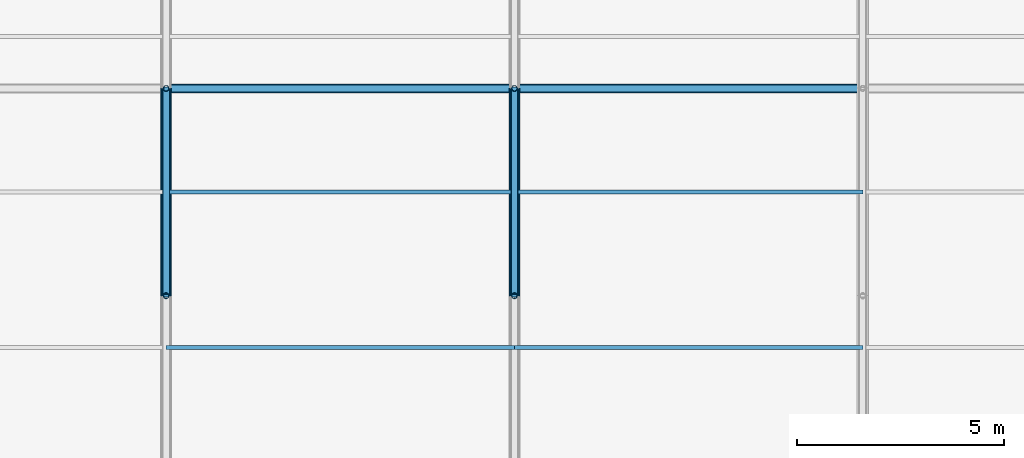
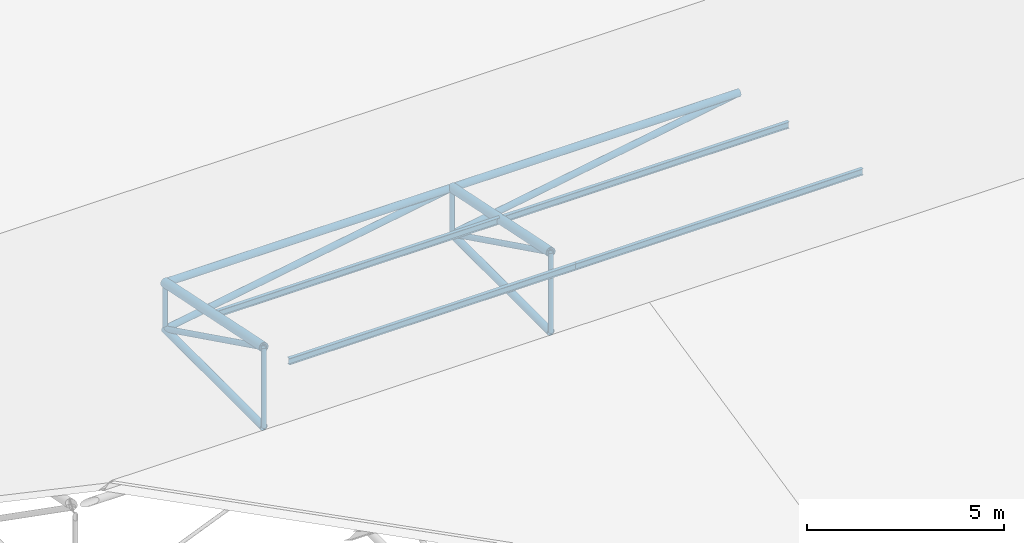
# One storey, part 85 of 194: 14 members, 4 beams.
"""IFC4 building model written with IfcOpenShell, lengths in metres."""

from ifc_helpers import new_model, si_unit, direction, frame, origin, origin_2d, place, context, subcontext, project, spatial, hollow_circle, i_section, extrude, material, material_profile, profile_set, type_object, element, save


model = new_model("IFC4")

# Units and contexts
model_context = context("Model", 3, precision=1e-05, world=origin(), true_north=direction((0.0, 1.0)))
body_context = subcontext(model_context, "Body", "Model", "MODEL_VIEW")
ifc_project = project(units=[si_unit("LENGTHUNIT", "METRE"), si_unit("AREAUNIT", "SQUARE_METRE"), si_unit("VOLUMEUNIT", "CUBIC_METRE"), si_unit("PLANEANGLEUNIT", "RADIAN"), si_unit("MASSUNIT", "GRAM", prefix="KILO")], contexts=[model_context])

# Site, building, storey
site_placement = place(None, origin())
site = spatial("IfcSite", under=ifc_project, at=site_placement, CompositionType="ELEMENT")
building_placement = place(site_placement, origin())
building = spatial("IfcBuilding", under=site, at=building_placement, Name="Kazenagashi Tramway Depot", CompositionType="ELEMENT")
storey_placement = place(building_placement, frame((0.0, 0.0, 23.7)))
storey = spatial("IfcBuildingStorey", under=building, at=storey_placement, Name="ROOF", CompositionType="ELEMENT", Elevation=23.7)

# Beams
ifc_material_1 = material(Name="Steel SN400B", Category="steel")
ifc_material_profile_1 = material_profile(ifc_material_1, i_section(OverallWidth=0.1, OverallDepth=0.2, WebThickness=0.0055, FlangeThickness=0.008, at=origin_2d()), Name="H-200x100x5.5x8")
ifc_profile_set_1 = profile_set([ifc_material_profile_1], Name="Steel SN400B")
beam_type = type_object("IfcBeamType", Name="PR-01", PredefinedType="USERDEFINED", material=ifc_profile_set_1)
for number, where, z_axis, x_axis, name in (
    (1, (162.4, 88.75, -11.305), (1.0, 0.0, 0.0), (0.0, 1.0, 0.0), "Beam PR-01 BM-2086"),
    (2, (170.8, 88.75, -11.305), (1.0, 0.0, 0.0), (0.0, 1.0, 0.0), "Beam PR-01 BM-2087"),
    (3, (162.4, 92.5, -12.13), (1.0, 0.0, 0.0), (0.0, 1.0, 0.0), "Beam PR-01 BM-2104"),
    (4, (170.8, 92.5, -12.13), (1.0, 0.0, 0.0), (0.0, 1.0, 0.0), "Beam PR-01 BM-2105"),
):
    element("IfcBeam", number, at=place(storey_placement, frame(where, z_axis=z_axis, x_axis=x_axis)), inside=storey, type_object=beam_type, Name=name, ObjectType="PURLIN", PredefinedType="USERDEFINED", context=body_context, shape_type="SweptSolid", body=[
        extrude(i_section(OverallWidth=0.1, OverallDepth=0.2, WebThickness=0.0055, FlangeThickness=0.008, at=origin_2d()), origin(), (0.0, 0.0, 1.0), 8.4),
    ])

# Members
ifc_material_2 = material(Name="Steel STK490", Category="steel")
ifc_material_profile_2 = material_profile(ifc_material_2, hollow_circle(Radius=0.1337, WallThickness=0.0093, at=origin_2d()), Name="CHS-267.4x9.3")
ifc_profile_set_2 = profile_set([ifc_material_profile_2], Name="Steel STK490")
member_type_1 = type_object("IfcMemberType", Name="TC-01", PredefinedType="CHORD", material=ifc_profile_set_2)
for number, where, z_axis, x_axis, name in (
    (5, (162.4, 90.0, -11.633), (0.0, 0.979279174591, -0.202514933305), (-1.0, 0.0, 0.0), "Tubular Space Frame TC-01 MEM-0867"),
    (6, (170.8, 90.0, -11.633), (0.0, 0.979279174591, -0.202514933305), (-1.0, 0.0, 0.0), "Tubular Space Frame TC-01 MEM-0928"),
):
    element("IfcMember", number, at=place(storey_placement, frame(where, z_axis=z_axis, x_axis=x_axis)), inside=storey, type_object=member_type_1, Name=name, PredefinedType="CHORD", context=body_context, shape_type="SweptSolid", body=[
        extrude(hollow_circle(Radius=0.1337, WallThickness=0.0093, at=origin_2d()), origin(), (0.0, 0.0, 1.0), 5.105796),
    ])
ifc_material_profile_3 = material_profile(ifc_material_2, hollow_circle(Radius=0.10815, WallThickness=0.0082, at=origin_2d()), Name="CHS-216.3x8.2")
ifc_profile_set_3 = profile_set([ifc_material_profile_3], Name="Steel STK490")
member_type_2 = type_object("IfcMemberType", Name="TC-02", PredefinedType="CHORD", material=ifc_profile_set_3)
member_1_placement = place(storey_placement, frame((162.4, 90.0, -14.1), z_axis=(0.0, 1.0, 0.0), x_axis=(-1.0, 0.0, 0.0)))
element("IfcMember", 7, at=member_1_placement, inside=storey, type_object=member_type_2, Name="Tubular Space Frame TC-02 MEM-0868", PredefinedType="CHORD", context=body_context, shape_type="SweptSolid", body=[
    extrude(hollow_circle(Radius=0.10815, WallThickness=0.0082, at=origin_2d()), origin(), (0.0, 0.0, 1.0), 5.0),
])
member_2_placement = place(storey_placement, frame((162.4, 95.0, -12.667), z_axis=(1.0, 0.0, 0.0), x_axis=(0.0, 1.0, 0.0)))
element("IfcMember", 8, at=member_2_placement, inside=storey, type_object=member_type_2, Name="Tubular Space Frame TC-02 MEM-0884", PredefinedType="CHORD", context=body_context, shape_type="SweptSolid", body=[
    extrude(hollow_circle(Radius=0.10815, WallThickness=0.0082, at=origin_2d()), origin(), (0.0, 0.0, 1.0), 8.4),
])
member_3_placement = place(storey_placement, frame((170.8, 90.0, -14.1), z_axis=(0.0, 1.0, 0.0), x_axis=(-1.0, 0.0, 0.0)))
element("IfcMember", 9, at=member_3_placement, inside=storey, type_object=member_type_2, Name="Tubular Space Frame TC-02 MEM-0929", PredefinedType="CHORD", context=body_context, shape_type="SweptSolid", body=[
    extrude(hollow_circle(Radius=0.10815, WallThickness=0.0082, at=origin_2d()), origin(), (0.0, 0.0, 1.0), 5.0),
])
member_4_placement = place(storey_placement, frame((170.8, 95.0, -12.667), z_axis=(1.0, 0.0, 0.0), x_axis=(0.0, 1.0, 0.0)))
element("IfcMember", 10, at=member_4_placement, inside=storey, type_object=member_type_2, Name="Tubular Space Frame TC-02 MEM-0945", PredefinedType="CHORD", context=body_context, shape_type="SweptSolid", body=[
    extrude(hollow_circle(Radius=0.10815, WallThickness=0.0082, at=origin_2d()), origin(), (0.0, 0.0, 1.0), 8.4),
])
ifc_material_profile_4 = material_profile(ifc_material_2, hollow_circle(Radius=0.0826, WallThickness=0.0071, at=origin_2d()), Name="CHS-165.2x7.1")
ifc_profile_set_4 = profile_set([ifc_material_profile_4], Name="Steel STK490")
member_type_3 = type_object("IfcMemberType", Name="TS-01", PredefinedType="STRUT", material=ifc_profile_set_4)
for number, where, z_axis, x_axis, name in (
    (11, (162.4, 90.0, -11.633), (0.0, 0.896782162482, -0.442472318969), (-1.0, 0.0, 0.0), "Tubular Space Frame TS-01 MEM-0869"),
    (12, (170.8, 90.0, -11.633), (0.0, 0.896782162482, -0.442472318969), (-1.0, 0.0, 0.0), "Tubular Space Frame TS-01 MEM-0930"),
):
    element("IfcMember", number, at=place(storey_placement, frame(where, z_axis=z_axis, x_axis=x_axis)), inside=storey, type_object=member_type_3, Name=name, PredefinedType="STRUT", context=body_context, shape_type="SweptSolid", body=[
        extrude(hollow_circle(Radius=0.0826, WallThickness=0.0071, at=origin_2d()), origin(), (0.0, 0.0, 1.0), 5.57549),
    ])
ifc_material_profile_5 = material_profile(ifc_material_2, hollow_circle(Radius=0.0699, WallThickness=0.0066, at=origin_2d()), Name="CHS-139.8x6.6")
ifc_profile_set_5 = profile_set([ifc_material_profile_5], Name="Steel STK490")
member_type_4 = type_object("IfcMemberType", Name="TS-02", PredefinedType="STRUT", material=ifc_profile_set_5)
member_5_placement = place(storey_placement, frame((162.4, 90.0, -14.1), z_axis=(0.0, 0.0, 1.0), x_axis=(1.0, 0.0, 0.0)))
element("IfcMember", 13, at=member_5_placement, inside=storey, type_object=member_type_4, Name="Tubular Space Frame TS-02 MEM-0877", PredefinedType="STRUT", context=body_context, shape_type="SweptSolid", body=[
    extrude(hollow_circle(Radius=0.0699, WallThickness=0.0066, at=origin_2d()), origin(), (0.0, 0.0, 1.0), 2.467),
])
member_6_placement = place(storey_placement, frame((162.4, 95.0, -14.1), z_axis=(0.0, 0.0, 1.0), x_axis=(1.0, 0.0, 0.0)))
element("IfcMember", 14, at=member_6_placement, inside=storey, type_object=member_type_4, Name="Tubular Space Frame TS-02 MEM-0878", PredefinedType="STRUT", context=body_context, shape_type="SweptSolid", body=[
    extrude(hollow_circle(Radius=0.0699, WallThickness=0.0066, at=origin_2d()), origin(), (0.0, 0.0, 1.0), 1.433),
])
member_7_placement = place(storey_placement, frame((170.8, 90.0, -14.1), z_axis=(0.0, 0.0, 1.0), x_axis=(1.0, 0.0, 0.0)))
element("IfcMember", 15, at=member_7_placement, inside=storey, type_object=member_type_4, Name="Tubular Space Frame TS-02 MEM-0938", PredefinedType="STRUT", context=body_context, shape_type="SweptSolid", body=[
    extrude(hollow_circle(Radius=0.0699, WallThickness=0.0066, at=origin_2d()), origin(), (0.0, 0.0, 1.0), 2.467),
])
member_8_placement = place(storey_placement, frame((170.8, 95.0, -14.1), z_axis=(0.0, 0.0, 1.0), x_axis=(1.0, 0.0, 0.0)))
element("IfcMember", 16, at=member_8_placement, inside=storey, type_object=member_type_4, Name="Tubular Space Frame TS-02 MEM-0939", PredefinedType="STRUT", context=body_context, shape_type="SweptSolid", body=[
    extrude(hollow_circle(Radius=0.0699, WallThickness=0.0066, at=origin_2d()), origin(), (0.0, 0.0, 1.0), 1.433),
])
ifc_material_profile_6 = material_profile(ifc_material_2, hollow_circle(Radius=0.09535, WallThickness=0.007, at=origin_2d()), Name="CHS-190.7x7.0")
ifc_profile_set_6 = profile_set([ifc_material_profile_6], Name="Steel STK490")
member_type_5 = type_object("IfcMemberType", Name="TS-05", PredefinedType="STRUT", material=ifc_profile_set_6)
for number, where, z_axis, x_axis, name in (
    (17, (162.4, 95.0, -14.1), (0.985758734117, 0.0, 0.168165745951), (0.0, 1.0, 0.0), "Tubular Space Frame TS-05 MEM-0885"),
    (18, (170.8, 95.0, -14.1), (0.985758734117, 0.0, 0.168165745951), (0.0, 1.0, 0.0), "Tubular Space Frame TS-05 MEM-0946"),
):
    element("IfcMember", number, at=place(storey_placement, frame(where, z_axis=z_axis, x_axis=x_axis)), inside=storey, type_object=member_type_5, Name=name, PredefinedType="STRUT", context=body_context, shape_type="SweptSolid", body=[
        extrude(hollow_circle(Radius=0.09535, WallThickness=0.007, at=origin_2d()), origin(), (0.0, 0.0, 1.0), 8.521355),
    ])

save(model, "model.ifc")
